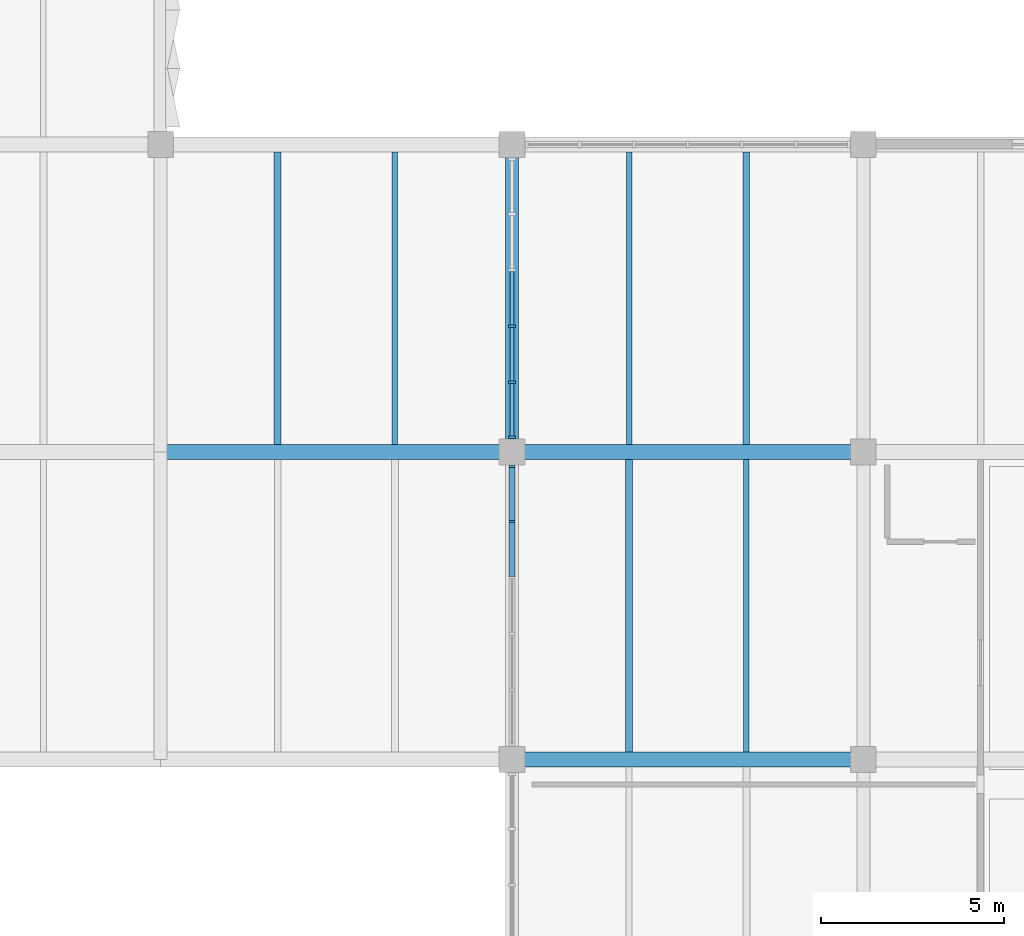
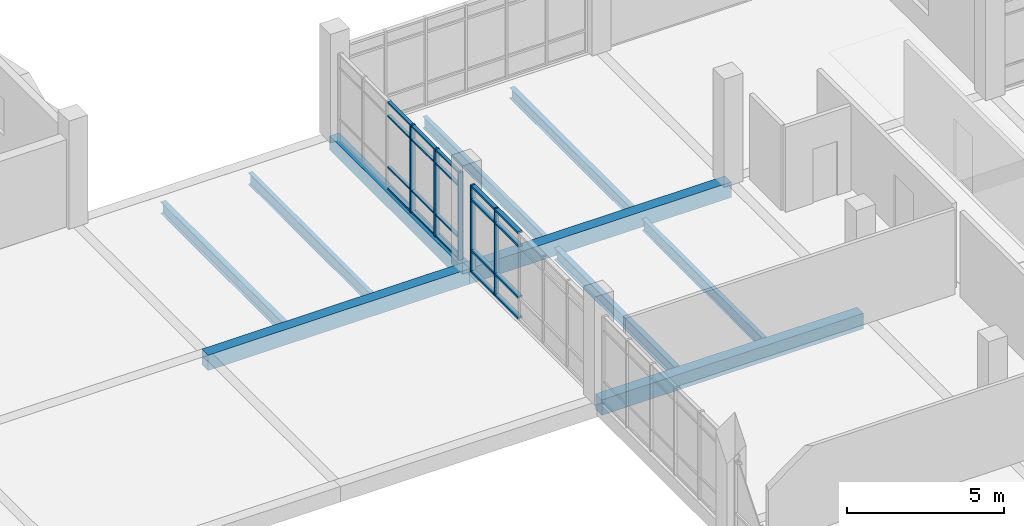
# One storey, part 17 of 57: 25 members, 10 beams, 2 elements without a shape of their own.
"""IFC4 building model written with IfcOpenShell, lengths in metres."""

from ifc_helpers import new_model, si_unit, direction, frame, origin, origin_2d, place, context, subcontext, project, spatial, rectangle, i_section, extrude, material, material_profile, profile_set, type_object, element, aggregate, save


model = new_model("IFC4")

# Units and contexts
model_context = context("Model", 3, precision=1e-05, world=origin(), true_north=direction((0.0, 1.0)))
body_context = subcontext(model_context, "Body", "Model", "MODEL_VIEW")
ifc_project = project(units=[si_unit("LENGTHUNIT", "METRE"), si_unit("AREAUNIT", "SQUARE_METRE"), si_unit("VOLUMEUNIT", "CUBIC_METRE"), si_unit("PLANEANGLEUNIT", "RADIAN"), si_unit("MASSUNIT", "GRAM", prefix="KILO")], contexts=[model_context])

# Site, building, storey
site_placement = place(None, origin())
site = spatial("IfcSite", under=ifc_project, at=site_placement, CompositionType="ELEMENT")
building_placement = place(site_placement, origin())
building = spatial("IfcBuilding", under=site, at=building_placement, Name="Oolite Switchyard Hospital", CompositionType="ELEMENT")
storey_placement = place(building_placement, frame((0.0, 0.0, 17.800048828125)))
storey = spatial("IfcBuildingStorey", under=building, at=storey_placement, Name="L04", CompositionType="ELEMENT", Elevation=17.800048828125)

# Beams
ifc_material_1 = material(Name="Concrete C40/50", Category="concrete")
ifc_material_profile_1 = material_profile(ifc_material_1, rectangle(XDim=0.35009765625, YDim=0.550048828125, at=origin_2d()), Name="RCB350X550")
ifc_profile_set_1 = profile_set([ifc_material_profile_1], Name="Concrete C40/50")
beam_type_1 = type_object("IfcBeamType", Name="BM-RC350X550", PredefinedType="BEAM", material=ifc_profile_set_1)
beam_1_placement = place(storey_placement, frame((182.39990234375, 67.199951171875, -0.275146484375), z_axis=(0.0, 1.0, 0.0), x_axis=(-1.0, 0.0, 0.0)))
element("IfcBeam", 1, at=beam_1_placement, inside=storey, type_object=beam_type_1, Name="L04 Y-Girder 3046", PredefinedType="BEAM", context=body_context, shape_type="SweptSolid", body=[
    extrude(rectangle(XDim=0.35009765625, YDim=0.550048828125, at=origin_2d()), origin(), (0.0, 0.0, 1.0), 8.400146484375),
])
ifc_material_profile_2 = material_profile(ifc_material_1, rectangle(XDim=0.39990234375, YDim=0.60009765625, at=origin_2d()), Name="RCB400X600")
ifc_profile_set_2 = profile_set([ifc_material_profile_2], Name="Concrete C40/50")
beam_type_2 = type_object("IfcBeamType", Name="BM-RC400X600", PredefinedType="BEAM", material=ifc_profile_set_2)
beam_2_placement = place(storey_placement, frame((182.39990234375, 58.800048828125, -0.300048828125), z_axis=(1.0, 0.0, 0.0), x_axis=(0.0, 1.0, 0.0)))
element("IfcBeam", 2, at=beam_2_placement, inside=storey, type_object=beam_type_2, Name="L04 X-Girder 2807", PredefinedType="BEAM", context=body_context, shape_type="SweptSolid", body=[
    extrude(rectangle(XDim=0.39990234375, YDim=0.60009765625, at=origin_2d()), origin(), (0.0, 0.0, 1.0), 9.60009765625),
])
beam_3_placement = place(storey_placement, frame((172.800048828125, 67.199951171875, -0.300048828125), z_axis=(1.0, 0.0, 0.0), x_axis=(0.0, 1.0, 0.0)))
element("IfcBeam", 3, at=beam_3_placement, inside=storey, type_object=beam_type_2, Name="L04 X-Girder 2817", PredefinedType="BEAM", context=body_context, shape_type="SweptSolid", body=[
    extrude(rectangle(XDim=0.39990234375, YDim=0.60009765625, at=origin_2d()), origin(), (0.0, 0.0, 1.0), 9.599853515625),
])
beam_4_placement = place(storey_placement, frame((182.39990234375, 67.199951171875, -0.300048828125), z_axis=(1.0, 0.0, 0.0), x_axis=(0.0, 1.0, 0.0)))
element("IfcBeam", 4, at=beam_4_placement, inside=storey, type_object=beam_type_2, Name="L04 X-Girder 2818", PredefinedType="BEAM", context=body_context, shape_type="SweptSolid", body=[
    extrude(rectangle(XDim=0.39990234375, YDim=0.60009765625, at=origin_2d()), origin(), (0.0, 0.0, 1.0), 9.60009765625),
])
ifc_material_2 = material(Name="Steel ASTM A992 Grade 50", Category="steel")
ifc_material_profile_3 = material_profile(ifc_material_2, i_section(OverallWidth=0.179931640625, OverallDepth=0.4130859375, WebThickness=0.010009765625, FlangeThickness=0.01611328125, at=origin_2d()), Name="W16X50")
ifc_profile_set_3 = profile_set([ifc_material_profile_3], Name="Steel ASTM A992 Grade 50")
beam_type_3 = type_object("IfcBeamType", Name="BM-W16X50", PredefinedType="JOIST", material=ifc_profile_set_3)
beam_5_placement = place(storey_placement, frame((188.800048828125, 67.39990234375, -0.48095703125), z_axis=(0.0, 1.0, 0.0), x_axis=(-1.0, 0.0, 0.0)))
element("IfcBeam", 5, at=beam_5_placement, inside=storey, type_object=beam_type_3, Name="L04 Secondary Steel Joist 3284", PredefinedType="JOIST", context=body_context, shape_type="SweptSolid", body=[
    extrude(i_section(OverallWidth=0.179931640625, OverallDepth=0.4130859375, WebThickness=0.010009765625, FlangeThickness=0.01611328125, at=origin_2d()), origin(), (0.0, 0.0, 1.0), 8.0),
])
ifc_material_profile_4 = material_profile(ifc_material_2, i_section(OverallWidth=0.153076171875, OverallDepth=0.455078125, WebThickness=0.008056640625, FlangeThickness=0.012939453125, at=origin_2d()), Name="W18X40")
ifc_profile_set_4 = profile_set([ifc_material_profile_4], Name="Steel ASTM A992 Grade 50")
beam_type_4 = type_object("IfcBeamType", Name="BM-W18X40", PredefinedType="JOIST", material=ifc_profile_set_4)
for number, where, z_axis, x_axis, name in (
    (6, (179.199951171875, 67.39990234375, -0.447021484375), (0.0, 1.0, 0.0), (-1.0, 0.0, 0.0), "L04 Secondary Steel Joist 3262"),
    (7, (188.800048828125, 59.0, -0.501953125), (0.0, 1.0, 0.0), (-1.0, 0.0, 0.0), "L04 Secondary Steel Joist 3282"),
    (8, (185.60009765625, 67.39990234375, -0.501953125), (0.0, 1.0, 0.0), (-1.0, 0.0, 0.0), "L04 Secondary Steel Joist 3283"),
):
    element("IfcBeam", number, at=place(storey_placement, frame(where, z_axis=z_axis, x_axis=x_axis)), inside=storey, type_object=beam_type_4, Name=name, PredefinedType="JOIST", context=body_context, shape_type="SweptSolid", body=[
        extrude(i_section(OverallWidth=0.153076171875, OverallDepth=0.455078125, WebThickness=0.008056640625, FlangeThickness=0.012939453125, at=origin_2d()), origin(), (0.0, 0.0, 1.0), 8.0),
    ])
ifc_material_profile_5 = material_profile(ifc_material_2, i_section(OverallWidth=0.19091796875, OverallDepth=0.4599609375, WebThickness=0.010009765625, FlangeThickness=0.01611328125, at=origin_2d()), Name="W18X55")
ifc_profile_set_5 = profile_set([ifc_material_profile_5], Name="Steel ASTM A992 Grade 50")
beam_type_5 = type_object("IfcBeamType", Name="BM-W18X55", PredefinedType="JOIST", material=ifc_profile_set_5)
for number, where, z_axis, x_axis, name in (
    (9, (176.0, 67.39990234375, -0.449951171875), (0.0, 1.0, 0.0), (-1.0, 0.0, 0.0), "L04 Secondary Steel Joist 3261"),
    (10, (185.60009765625, 59.0, -0.505126953125), (0.0, 1.0, 0.0), (-1.0, 0.0, 0.0), "L04 Secondary Steel Joist 3281"),
):
    element("IfcBeam", number, at=place(storey_placement, frame(where, z_axis=z_axis, x_axis=x_axis)), inside=storey, type_object=beam_type_5, Name=name, PredefinedType="JOIST", context=body_context, shape_type="SweptSolid", body=[
        extrude(i_section(OverallWidth=0.19091796875, OverallDepth=0.4599609375, WebThickness=0.010009765625, FlangeThickness=0.01611328125, at=origin_2d()), origin(), (0.0, 0.0, 1.0), 8.0),
    ])

# Curtain wall, members
ifc_material_3 = material(Name="Thermally broken aluminum frame with laminated impact glazing", Category="aluminium")
curtain_wall_type = type_object("IfcCurtainWallType", Name="CW-UNIT-84X42", PredefinedType="USERDEFINED", material=ifc_material_3)
curtain_wall_1_placement = place(storey_placement, origin())
curtain_wall_1 = element("IfcCurtainWall", 11, at=curtain_wall_1_placement, inside=storey, type_object=curtain_wall_type, Name="L04 Unitised Curtain Wall 377", ObjectType="UNITISED", PredefinedType="USERDEFINED")
ifc_material_4 = material(Name="Aluminium 6063-T6", Category="aluminium")
ifc_material_profile_6 = material_profile(ifc_material_4, rectangle(XDim=0.159912109375, YDim=0.06005859375, at=origin_2d()), Name="CWM60X160")
ifc_profile_set_6 = profile_set([ifc_material_profile_6], Name="Aluminium 6063-T6")
member_type_1 = type_object("IfcMemberType", Name="CW-MUL-180", PredefinedType="MULLION", material=ifc_profile_set_6)
member_1_placement = place(storey_placement, frame((182.39990234375, 65.301025390625, 0.0), z_axis=(0.0, 0.0, 1.0), x_axis=(-1.0, 0.0, 0.0)))
member_1 = element("IfcMember", 12, at=member_1_placement, type_object=member_type_1, Name="CW-10 mullion 5", PredefinedType="MULLION", context=body_context, shape_type="SweptSolid", body=[
    extrude(rectangle(XDim=0.159912109375, YDim=0.06005859375, at=origin_2d()), origin(), (0.0, 0.0, 1.0), 3.389892578125),
])
member_2_placement = place(storey_placement, frame((182.39990234375, 66.804931640625, 0.0), z_axis=(0.0, 0.0, 1.0), x_axis=(-1.0, 0.0, 0.0)))
member_2 = element("IfcMember", 13, at=member_2_placement, type_object=member_type_1, Name="CW-10 mullion 6", PredefinedType="MULLION", context=body_context, shape_type="SweptSolid", body=[
    extrude(rectangle(XDim=0.159912109375, YDim=0.06005859375, at=origin_2d()), origin(), (0.0, 0.0, 1.0), 3.389892578125),
])

curtain_wall_2_placement = place(storey_placement, origin())
curtain_wall_2 = element("IfcCurtainWall", 14, at=curtain_wall_2_placement, inside=storey, type_object=curtain_wall_type, Name="L04 Unitised Curtain Wall 378", ObjectType="UNITISED", PredefinedType="USERDEFINED")
ifc_material_profile_7 = material_profile(ifc_material_4, rectangle(XDim=0.179931640625, YDim=0.070068359375, at=origin_2d()), Name="CWM70X180")
ifc_profile_set_7 = profile_set([ifc_material_profile_7], Name="Aluminium 6063-T6")
member_type_2 = type_object("IfcMemberType", Name="CW-MUL-220", PredefinedType="MULLION", material=ifc_profile_set_7)
member_3_placement = place(storey_placement, frame((182.39990234375, 67.60009765625, 0.0), z_axis=(0.0, 0.0, 1.0), x_axis=(-1.0, 0.0, 0.0)))
member_3 = element("IfcMember", 15, at=member_3_placement, type_object=member_type_2, Name="CW-10 mullion 1", PredefinedType="MULLION", context=body_context, shape_type="SweptSolid", body=[
    extrude(rectangle(XDim=0.179931640625, YDim=0.070068359375, at=origin_2d()), origin(), (0.0, 0.0, 1.0), 3.389892578125),
])
member_4_placement = place(storey_placement, frame((182.39990234375, 69.09912109375, 0.0), z_axis=(0.0, 0.0, 1.0), x_axis=(-1.0, 0.0, 0.0)))
member_4 = element("IfcMember", 16, at=member_4_placement, type_object=member_type_2, Name="CW-10 mullion 2", PredefinedType="MULLION", context=body_context, shape_type="SweptSolid", body=[
    extrude(rectangle(XDim=0.179931640625, YDim=0.070068359375, at=origin_2d()), origin(), (0.0, 0.0, 1.0), 3.389892578125),
])
member_5_placement = place(storey_placement, frame((182.39990234375, 70.633056640625, 0.0), z_axis=(0.0, 0.0, 1.0), x_axis=(-1.0, 0.0, 0.0)))
member_5 = element("IfcMember", 17, at=member_5_placement, type_object=member_type_2, Name="CW-10 mullion 3", PredefinedType="MULLION", context=body_context, shape_type="SweptSolid", body=[
    extrude(rectangle(XDim=0.179931640625, YDim=0.070068359375, at=origin_2d()), origin(), (0.0, 0.0, 1.0), 3.389892578125),
])
ifc_material_profile_8 = material_profile(ifc_material_4, rectangle(XDim=0.1201171875, YDim=0.06005859375, at=origin_2d()), Name="CWT60X120")
ifc_profile_set_8 = profile_set([ifc_material_profile_8], Name="Aluminium 6063-T6")
member_type_3 = type_object("IfcMemberType", Name="CW-TRN-150", PredefinedType="USERDEFINED", material=ifc_profile_set_8)
member_6_placement = place(storey_placement, frame((182.39990234375, 67.635009765625, 0.030029296875), z_axis=(0.0, 1.0, 0.0), x_axis=(-1.0, 0.0, 0.0)))
member_6 = element("IfcMember", 18, at=member_6_placement, type_object=member_type_3, Name="CW-10 transom 1.1", ObjectType="TRANSOM", PredefinedType="USERDEFINED", context=body_context, shape_type="SweptSolid", body=[
    extrude(rectangle(XDim=0.1201171875, YDim=0.06005859375, at=origin_2d()), origin(), (0.0, 0.0, 1.0), 1.428955078125),
])
member_7_placement = place(storey_placement, frame((182.39990234375, 67.635009765625, 0.849853515625), z_axis=(0.0, 1.0, 0.0), x_axis=(-1.0, 0.0, 0.0)))
member_7 = element("IfcMember", 19, at=member_7_placement, type_object=member_type_3, Name="CW-10 transom 1.2", ObjectType="TRANSOM", PredefinedType="USERDEFINED", context=body_context, shape_type="SweptSolid", body=[
    extrude(rectangle(XDim=0.1201171875, YDim=0.06005859375, at=origin_2d()), origin(), (0.0, 0.0, 1.0), 1.428955078125),
])
member_8_placement = place(storey_placement, frame((182.39990234375, 67.635009765625, 2.83984375), z_axis=(0.0, 1.0, 0.0), x_axis=(-1.0, 0.0, 0.0)))
member_8 = element("IfcMember", 20, at=member_8_placement, type_object=member_type_3, Name="CW-10 transom 1.3", ObjectType="TRANSOM", PredefinedType="USERDEFINED", context=body_context, shape_type="SweptSolid", body=[
    extrude(rectangle(XDim=0.1201171875, YDim=0.06005859375, at=origin_2d()), origin(), (0.0, 0.0, 1.0), 1.428955078125),
])
member_9_placement = place(storey_placement, frame((182.39990234375, 67.635009765625, 3.35986328125), z_axis=(0.0, 1.0, 0.0), x_axis=(-1.0, 0.0, 0.0)))
member_9 = element("IfcMember", 21, at=member_9_placement, type_object=member_type_3, Name="CW-10 transom 1.4", ObjectType="TRANSOM", PredefinedType="USERDEFINED", context=body_context, shape_type="SweptSolid", body=[
    extrude(rectangle(XDim=0.1201171875, YDim=0.06005859375, at=origin_2d()), origin(), (0.0, 0.0, 1.0), 1.428955078125),
])
member_10_placement = place(storey_placement, frame((182.39990234375, 69.134033203125, 0.030029296875), z_axis=(0.0, 1.0, 0.0), x_axis=(-1.0, 0.0, 0.0)))
member_10 = element("IfcMember", 22, at=member_10_placement, type_object=member_type_3, Name="CW-10 transom 2.1", ObjectType="TRANSOM", PredefinedType="USERDEFINED", context=body_context, shape_type="SweptSolid", body=[
    extrude(rectangle(XDim=0.1201171875, YDim=0.06005859375, at=origin_2d()), origin(), (0.0, 0.0, 1.0), 1.4638671875),
])
member_11_placement = place(storey_placement, frame((182.39990234375, 69.134033203125, 0.849853515625), z_axis=(0.0, 1.0, 0.0), x_axis=(-1.0, 0.0, 0.0)))
member_11 = element("IfcMember", 23, at=member_11_placement, type_object=member_type_3, Name="CW-10 transom 2.2", ObjectType="TRANSOM", PredefinedType="USERDEFINED", context=body_context, shape_type="SweptSolid", body=[
    extrude(rectangle(XDim=0.1201171875, YDim=0.06005859375, at=origin_2d()), origin(), (0.0, 0.0, 1.0), 1.4638671875),
])
member_12_placement = place(storey_placement, frame((182.39990234375, 69.134033203125, 2.83984375), z_axis=(0.0, 1.0, 0.0), x_axis=(-1.0, 0.0, 0.0)))
member_12 = element("IfcMember", 24, at=member_12_placement, type_object=member_type_3, Name="CW-10 transom 2.3", ObjectType="TRANSOM", PredefinedType="USERDEFINED", context=body_context, shape_type="SweptSolid", body=[
    extrude(rectangle(XDim=0.1201171875, YDim=0.06005859375, at=origin_2d()), origin(), (0.0, 0.0, 1.0), 1.4638671875),
])
member_13_placement = place(storey_placement, frame((182.39990234375, 69.134033203125, 3.35986328125), z_axis=(0.0, 1.0, 0.0), x_axis=(-1.0, 0.0, 0.0)))
member_13 = element("IfcMember", 25, at=member_13_placement, type_object=member_type_3, Name="CW-10 transom 2.4", ObjectType="TRANSOM", PredefinedType="USERDEFINED", context=body_context, shape_type="SweptSolid", body=[
    extrude(rectangle(XDim=0.1201171875, YDim=0.06005859375, at=origin_2d()), origin(), (0.0, 0.0, 1.0), 1.4638671875),
])
member_14_placement = place(storey_placement, frame((182.39990234375, 70.66796875, 0.030029296875), z_axis=(0.0, 1.0, 0.0), x_axis=(-1.0, 0.0, 0.0)))
member_14 = element("IfcMember", 26, at=member_14_placement, type_object=member_type_3, Name="CW-10 transom 3.1", ObjectType="TRANSOM", PredefinedType="USERDEFINED", context=body_context, shape_type="SweptSolid", body=[
    extrude(rectangle(XDim=0.1201171875, YDim=0.06005859375, at=origin_2d()), origin(), (0.0, 0.0, 1.0), 1.464111328125),
])
member_15_placement = place(storey_placement, frame((182.39990234375, 70.66796875, 0.849853515625), z_axis=(0.0, 1.0, 0.0), x_axis=(-1.0, 0.0, 0.0)))
member_15 = element("IfcMember", 27, at=member_15_placement, type_object=member_type_3, Name="CW-10 transom 3.2", ObjectType="TRANSOM", PredefinedType="USERDEFINED", context=body_context, shape_type="SweptSolid", body=[
    extrude(rectangle(XDim=0.1201171875, YDim=0.06005859375, at=origin_2d()), origin(), (0.0, 0.0, 1.0), 1.464111328125),
])
member_16_placement = place(storey_placement, frame((182.39990234375, 70.66796875, 2.83984375), z_axis=(0.0, 1.0, 0.0), x_axis=(-1.0, 0.0, 0.0)))
member_16 = element("IfcMember", 28, at=member_16_placement, type_object=member_type_3, Name="CW-10 transom 3.3", ObjectType="TRANSOM", PredefinedType="USERDEFINED", context=body_context, shape_type="SweptSolid", body=[
    extrude(rectangle(XDim=0.1201171875, YDim=0.06005859375, at=origin_2d()), origin(), (0.0, 0.0, 1.0), 1.464111328125),
])
member_17_placement = place(storey_placement, frame((182.39990234375, 70.66796875, 3.35986328125), z_axis=(0.0, 1.0, 0.0), x_axis=(-1.0, 0.0, 0.0)))
member_17 = element("IfcMember", 29, at=member_17_placement, type_object=member_type_3, Name="CW-10 transom 3.4", ObjectType="TRANSOM", PredefinedType="USERDEFINED", context=body_context, shape_type="SweptSolid", body=[
    extrude(rectangle(XDim=0.1201171875, YDim=0.06005859375, at=origin_2d()), origin(), (0.0, 0.0, 1.0), 1.464111328125),
])
aggregate(curtain_wall_2, [member_3, member_4, member_5, member_6, member_7, member_8, member_9, member_10, member_11, member_12, member_13, member_14, member_15, member_16, member_17])

# Member
ifc_material_profile_9 = material_profile(ifc_material_4, rectangle(XDim=0.159912109375, YDim=0.074951171875, at=origin_2d()), Name="CWT75X160")
ifc_profile_set_9 = profile_set([ifc_material_profile_9], Name="Aluminium 6063-T6")
member_type_4 = type_object("IfcMemberType", Name="CW-TRN-180", PredefinedType="USERDEFINED", material=ifc_profile_set_9)
member_18_placement = place(storey_placement, frame((182.39990234375, 63.797119140625, 0.037353515625), z_axis=(0.0, 1.0, 0.0), x_axis=(-1.0, 0.0, 0.0)))
member_18 = element("IfcMember", 30, at=member_18_placement, type_object=member_type_4, Name="CW-10 transom 4.1", ObjectType="TRANSOM", PredefinedType="USERDEFINED", context=body_context, shape_type="SweptSolid", body=[
    extrude(rectangle(XDim=0.159912109375, YDim=0.074951171875, at=origin_2d()), origin(), (0.0, 0.0, 1.0), 1.473876953125),
])

member_19_placement = place(storey_placement, frame((182.39990234375, 63.797119140625, 0.849853515625), z_axis=(0.0, 1.0, 0.0), x_axis=(-1.0, 0.0, 0.0)))
member_19 = element("IfcMember", 31, at=member_19_placement, type_object=member_type_4, Name="CW-10 transom 4.2", ObjectType="TRANSOM", PredefinedType="USERDEFINED", context=body_context, shape_type="SweptSolid", body=[
    extrude(rectangle(XDim=0.159912109375, YDim=0.074951171875, at=origin_2d()), origin(), (0.0, 0.0, 1.0), 1.473876953125),
])

member_20_placement = place(storey_placement, frame((182.39990234375, 63.797119140625, 2.83984375), z_axis=(0.0, 1.0, 0.0), x_axis=(-1.0, 0.0, 0.0)))
member_20 = element("IfcMember", 32, at=member_20_placement, type_object=member_type_4, Name="CW-10 transom 4.3", ObjectType="TRANSOM", PredefinedType="USERDEFINED", context=body_context, shape_type="SweptSolid", body=[
    extrude(rectangle(XDim=0.159912109375, YDim=0.074951171875, at=origin_2d()), origin(), (0.0, 0.0, 1.0), 1.473876953125),
])

member_21_placement = place(storey_placement, frame((182.39990234375, 63.797119140625, 3.3525390625), z_axis=(0.0, 1.0, 0.0), x_axis=(-1.0, 0.0, 0.0)))
member_21 = element("IfcMember", 33, at=member_21_placement, type_object=member_type_4, Name="CW-10 transom 4.4", ObjectType="TRANSOM", PredefinedType="USERDEFINED", context=body_context, shape_type="SweptSolid", body=[
    extrude(rectangle(XDim=0.159912109375, YDim=0.074951171875, at=origin_2d()), origin(), (0.0, 0.0, 1.0), 1.473876953125),
])

member_22_placement = place(storey_placement, frame((182.39990234375, 65.3310546875, 0.037353515625), z_axis=(0.0, 1.0, 0.0), x_axis=(-1.0, 0.0, 0.0)))
member_22 = element("IfcMember", 34, at=member_22_placement, type_object=member_type_4, Name="CW-10 transom 5.1", ObjectType="TRANSOM", PredefinedType="USERDEFINED", context=body_context, shape_type="SweptSolid", body=[
    extrude(rectangle(XDim=0.159912109375, YDim=0.074951171875, at=origin_2d()), origin(), (0.0, 0.0, 1.0), 1.44384765625),
])

member_23_placement = place(storey_placement, frame((182.39990234375, 65.3310546875, 0.849853515625), z_axis=(0.0, 1.0, 0.0), x_axis=(-1.0, 0.0, 0.0)))
member_23 = element("IfcMember", 35, at=member_23_placement, type_object=member_type_4, Name="CW-10 transom 5.2", ObjectType="TRANSOM", PredefinedType="USERDEFINED", context=body_context, shape_type="SweptSolid", body=[
    extrude(rectangle(XDim=0.159912109375, YDim=0.074951171875, at=origin_2d()), origin(), (0.0, 0.0, 1.0), 1.44384765625),
])

member_24_placement = place(storey_placement, frame((182.39990234375, 65.3310546875, 2.83984375), z_axis=(0.0, 1.0, 0.0), x_axis=(-1.0, 0.0, 0.0)))
member_24 = element("IfcMember", 36, at=member_24_placement, type_object=member_type_4, Name="CW-10 transom 5.3", ObjectType="TRANSOM", PredefinedType="USERDEFINED", context=body_context, shape_type="SweptSolid", body=[
    extrude(rectangle(XDim=0.159912109375, YDim=0.074951171875, at=origin_2d()), origin(), (0.0, 0.0, 1.0), 1.44384765625),
])

member_25_placement = place(storey_placement, frame((182.39990234375, 65.3310546875, 3.3525390625), z_axis=(0.0, 1.0, 0.0), x_axis=(-1.0, 0.0, 0.0)))
member_25 = element("IfcMember", 37, at=member_25_placement, type_object=member_type_4, Name="CW-10 transom 5.4", ObjectType="TRANSOM", PredefinedType="USERDEFINED", context=body_context, shape_type="SweptSolid", body=[
    extrude(rectangle(XDim=0.159912109375, YDim=0.074951171875, at=origin_2d()), origin(), (0.0, 0.0, 1.0), 1.44384765625),
])

aggregate(curtain_wall_1, [member_1, member_2, member_18, member_19, member_20, member_21, member_22, member_23, member_24, member_25])

save(model, "model.ifc")
